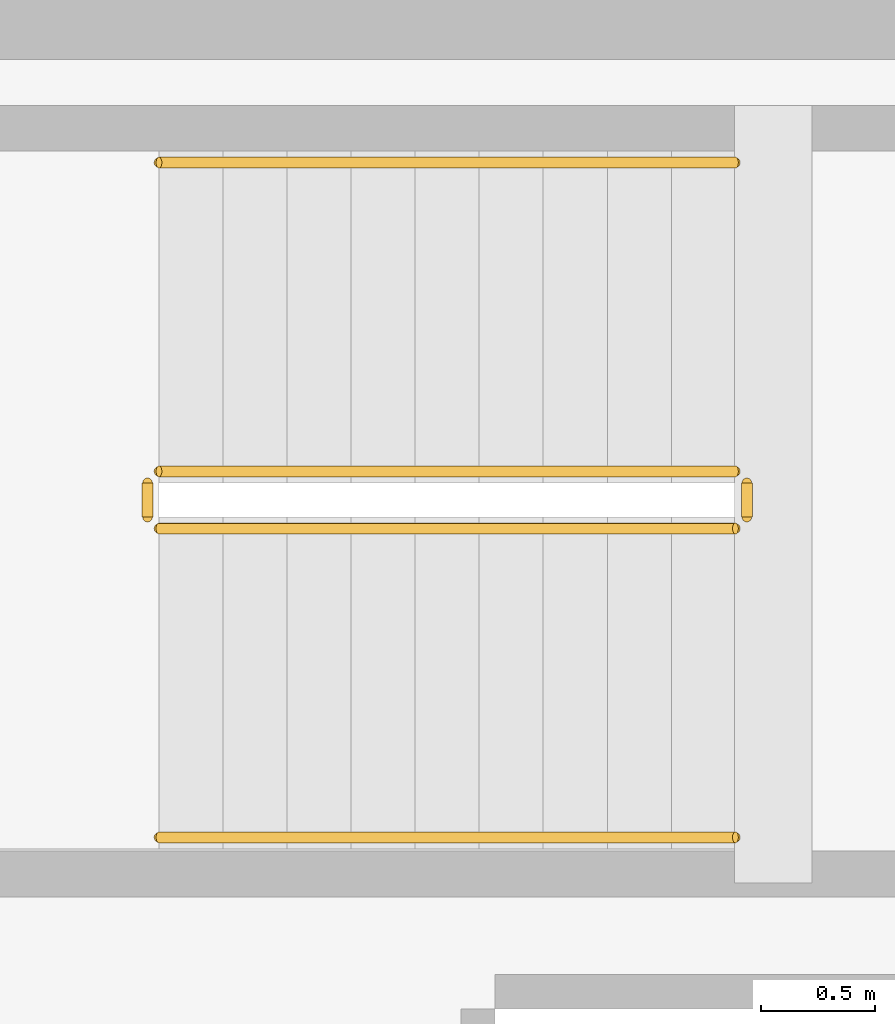
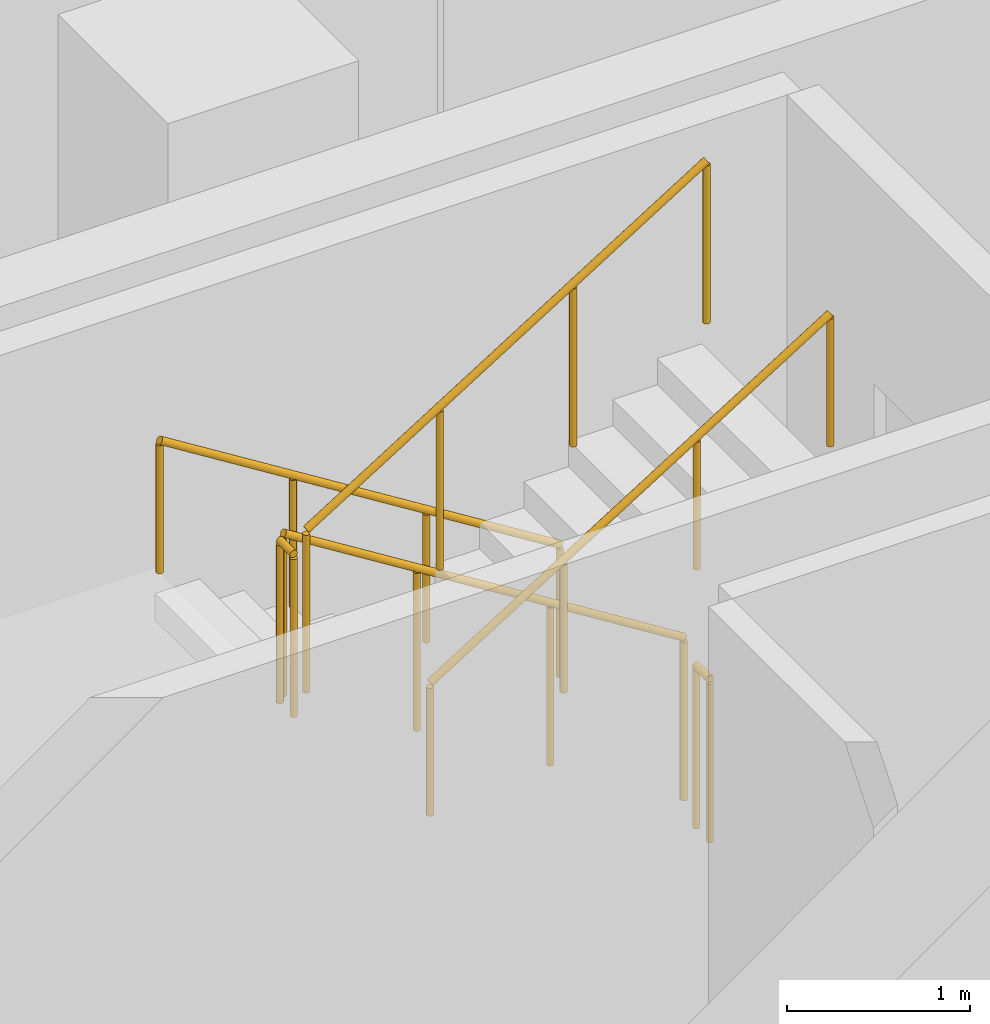
# One storey, part 10 of 11: 6 railings.
"""IFC4 building model written with IfcOpenShell, lengths in metres."""

from ifc_helpers import new_model, si_unit, direction, frame, origin, origin_2d, place, context, subcontext, project, spatial, circle, extrude, material, type_object, element, save


model = new_model("IFC4")

# Units and contexts
model_context = context("Model", 3, precision=1e-05, world=origin(), true_north=direction((0.0, 1.0)))
body_context = subcontext(model_context, "Body", "Model", "MODEL_VIEW")
ifc_project = project(units=[si_unit("LENGTHUNIT", "METRE"), si_unit("AREAUNIT", "SQUARE_METRE"), si_unit("VOLUMEUNIT", "CUBIC_METRE"), si_unit("PLANEANGLEUNIT", "RADIAN"), si_unit("MASSUNIT", "GRAM", prefix="KILO")], contexts=[model_context])

# Site, building, storey
site_placement = place(None, origin())
site = spatial("IfcSite", under=ifc_project, at=site_placement, CompositionType="ELEMENT")
building_placement = place(site_placement, origin())
building = spatial("IfcBuilding", under=site, at=building_placement, Name="Kinhvarn Gate Tower", CompositionType="ELEMENT")
storey_placement = place(building_placement, frame((0.0, 0.0, 307.550048828125)))
storey = spatial("IfcBuildingStorey", under=building, at=storey_placement, Name="L81", CompositionType="ELEMENT", Elevation=307.550048828125)

# Railings
ifc_material = material(Name="Steel S355", Category="steel")
railing_type_1 = type_object("IfcRailingType", Name="RL-ST-GRD", PredefinedType="BALUSTRADE", material=ifc_material)
railing_1_placement = place(storey_placement, frame((12.0, 34.300048828125, 0.175048828125)))
element("IfcRailing", 1, at=railing_1_placement, inside=storey, type_object=railing_type_1, Name="L81 ST2 stair guard 1", PredefinedType="BALUSTRADE", context=body_context, shape_type="SweptSolid", body=[
    extrude(circle(Radius=0.02392578125, at=origin_2d()), frame((0.0, 0.0, 1.076171875), z_axis=(-0.848007534815, 0.0, 0.529984170421), x_axis=(0.0, -1.0, 0.0)), (0.0, 0.0, 1.0), 2.9716796875),
    extrude(circle(Radius=0.02099609375, at=origin_2d()), origin(), (0.0, 0.0, 1.0), 1.052001953125),
    extrude(circle(Radius=0.02099609375, at=origin_2d()), frame((-0.840087890625, 0.0, 0.52490234375)), (0.0, 0.0, 1.0), 1.052001953125),
    extrude(circle(Radius=0.02099609375, at=origin_2d()), frame((-1.679931640625, 0.0, 1.050048828125)), (0.0, 0.0, 1.0), 1.052001953125),
    extrude(circle(Radius=0.02099609375, at=origin_2d()), frame((-2.52001953125, 0.0, 1.574951171875)), (0.0, 0.0, 1.0), 1.052001953125),
])
railing_2_placement = place(storey_placement, frame((9.429931640625, 34.25, 1.75)))
element("IfcRailing", 2, at=railing_2_placement, inside=storey, type_object=railing_type_1, Name="L81 ST2 stair guard 2", PredefinedType="BALUSTRADE", context=body_context, shape_type="SweptSolid", body=[
    extrude(circle(Radius=0.02392578125, at=origin_2d()), frame((0.0, 0.0, 1.076171875), z_axis=(0.0, -1.0, 0.0), x_axis=(1.0, 0.0, 0.0)), (0.0, 0.0, 1.0), 0.14990234375),
    extrude(circle(Radius=0.02099609375, at=origin_2d()), origin(), (0.0, 0.0, 1.0), 1.052001953125),
    extrude(circle(Radius=0.02099609375, at=origin_2d()), frame((0.0, -0.14990234375, 0.0)), (0.0, 0.0, 1.0), 1.052001953125),
])
railing_3_placement = place(storey_placement, frame((9.47998046875, 34.050048828125, 1.925048828125)))
element("IfcRailing", 3, at=railing_3_placement, inside=storey, type_object=railing_type_1, Name="L81 ST2 stair guard 3", PredefinedType="BALUSTRADE", context=body_context, shape_type="SweptSolid", body=[
    extrude(circle(Radius=0.02392578125, at=origin_2d()), frame((0.0, 0.0, 1.076171875), z_axis=(0.848007534815, 0.0, 0.529984170421), x_axis=(0.0, 1.0, 0.0)), (0.0, 0.0, 1.0), 2.9716796875),
    extrude(circle(Radius=0.02099609375, at=origin_2d()), origin(), (0.0, 0.0, 1.0), 1.052001953125),
    extrude(circle(Radius=0.02099609375, at=origin_2d()), frame((0.840087890625, 0.0, 0.52490234375)), (0.0, 0.0, 1.0), 1.052001953125),
    extrude(circle(Radius=0.02099609375, at=origin_2d()), frame((1.679931640625, 0.0, 1.050048828125)), (0.0, 0.0, 1.0), 1.052001953125),
    extrude(circle(Radius=0.02099609375, at=origin_2d()), frame((2.52001953125, 0.0, 1.574951171875)), (0.0, 0.0, 1.0), 1.052001953125),
])
railing_4_placement = place(storey_placement, frame((12.050048828125, 34.25, 0.0)))
element("IfcRailing", 4, at=railing_4_placement, inside=storey, type_object=railing_type_1, Name="L81 ST2 stair guard 4", PredefinedType="BALUSTRADE", context=body_context, shape_type="SweptSolid", body=[
    extrude(circle(Radius=0.02392578125, at=origin_2d()), frame((0.0, 0.0, 1.076171875), z_axis=(0.0, -1.0, 0.0), x_axis=(1.0, 0.0, 0.0)), (0.0, 0.0, 1.0), 0.14990234375),
    extrude(circle(Radius=0.02099609375, at=origin_2d()), origin(), (0.0, 0.0, 1.0), 1.052001953125),
    extrude(circle(Radius=0.02099609375, at=origin_2d()), frame((0.0, -0.14990234375, 0.0)), (0.0, 0.0, 1.0), 1.052001953125),
])
railing_type_2 = type_object("IfcRailingType", Name="RL-ST-HND", PredefinedType="HANDRAIL", material=ifc_material)
railing_5_placement = place(storey_placement, frame((12.0, 35.64990234375, 0.175048828125)))
element("IfcRailing", 5, at=railing_5_placement, inside=storey, type_object=railing_type_2, Name="L81 ST2 stair handrail 1", PredefinedType="HANDRAIL", context=body_context, shape_type="SweptSolid", body=[
    extrude(circle(Radius=0.02392578125, at=origin_2d()), frame((0.0, 0.0, 0.8759765625), z_axis=(-0.848007534815, 0.0, 0.529984170421), x_axis=(0.0, -1.0, 0.0)), (0.0, 0.0, 1.0), 2.9716796875),
    extrude(circle(Radius=0.02099609375, at=origin_2d()), origin(), (0.0, 0.0, 1.0), 0.851806640625),
    extrude(circle(Radius=0.02099609375, at=origin_2d()), frame((-0.840087890625, 0.0, 0.52490234375)), (0.0, 0.0, 1.0), 0.851806640625),
    extrude(circle(Radius=0.02099609375, at=origin_2d()), frame((-1.679931640625, 0.0, 1.050048828125)), (0.0, 0.0, 1.0), 0.851806640625),
    extrude(circle(Radius=0.02099609375, at=origin_2d()), frame((-2.52001953125, 0.0, 1.574951171875)), (0.0, 0.0, 1.0), 0.851806640625),
])
railing_6_placement = place(storey_placement, frame((9.47998046875, 32.699951171875, 1.925048828125)))
element("IfcRailing", 6, at=railing_6_placement, inside=storey, type_object=railing_type_2, Name="L81 ST2 stair handrail 2", PredefinedType="HANDRAIL", context=body_context, shape_type="SweptSolid", body=[
    extrude(circle(Radius=0.02392578125, at=origin_2d()), frame((0.0, 0.0, 0.8759765625), z_axis=(0.848007534815, 0.0, 0.529984170421), x_axis=(0.0, 1.0, 0.0)), (0.0, 0.0, 1.0), 2.9716796875),
    extrude(circle(Radius=0.02099609375, at=origin_2d()), origin(), (0.0, 0.0, 1.0), 0.851806640625),
    extrude(circle(Radius=0.02099609375, at=origin_2d()), frame((0.840087890625, 0.0, 0.52490234375)), (0.0, 0.0, 1.0), 0.851806640625),
    extrude(circle(Radius=0.02099609375, at=origin_2d()), frame((1.679931640625, 0.0, 1.050048828125)), (0.0, 0.0, 1.0), 0.851806640625),
    extrude(circle(Radius=0.02099609375, at=origin_2d()), frame((2.52001953125, 0.0, 1.574951171875)), (0.0, 0.0, 1.0), 0.851806640625),
])

save(model, "model.ifc")
